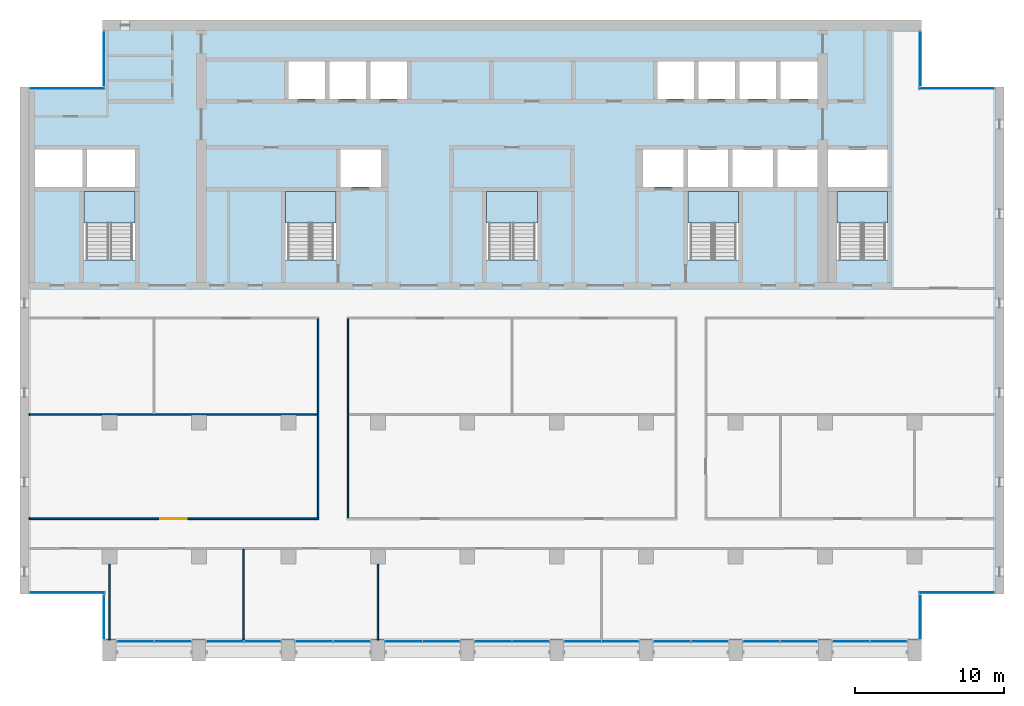
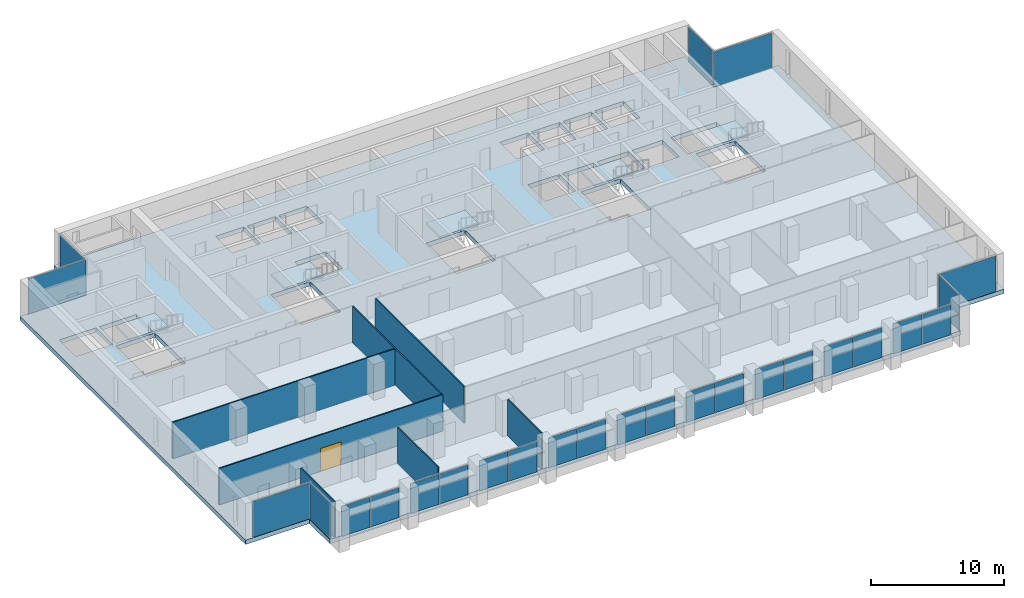
# One storey, part 7 of 17: 26 plates, 7 walls, 6 slabs, 1 door, 1 opening, 22 elements without a shape of their own.
"""IFC4 building model written with IfcOpenShell, lengths in metres."""

from ifc_helpers import new_model, si_unit, direction, frame, frame_2d, origin, origin_2d, place, context, subcontext, project, spatial, polyline, rectangle, outline, extrude, material, layer, layer_set, type_object, element, fill, aggregate, save


model = new_model("IFC4")

# Units and contexts
model_context = context("Model", 3, precision=1e-05, world=origin(), true_north=direction((0.0, 1.0)))
body_context = subcontext(model_context, "Body", "Model", "MODEL_VIEW")
ifc_project = project(units=[si_unit("LENGTHUNIT", "METRE"), si_unit("AREAUNIT", "SQUARE_METRE"), si_unit("VOLUMEUNIT", "CUBIC_METRE"), si_unit("PLANEANGLEUNIT", "RADIAN"), si_unit("MASSUNIT", "GRAM", prefix="KILO")], contexts=[model_context])

# Site, building, storey
site_placement = place(None, origin())
site = spatial("IfcSite", under=ifc_project, at=site_placement, CompositionType="ELEMENT")
building_placement = place(site_placement, origin())
building = spatial("IfcBuilding", under=site, at=building_placement, Name="Calvaro Tower", CompositionType="ELEMENT")
storey_placement = place(building_placement, frame((0.0, 0.0, 215.5)))
storey = spatial("IfcBuildingStorey", under=building, at=storey_placement, Name="L54", CompositionType="ELEMENT", Elevation=215.5)

# Slab
ifc_material_1 = material(Name="Concrete C40/50", Category="concrete")
ifc_layer_1 = layer(ifc_material_1, 0.39990234375)
ifc_layer_set_1 = layer_set([ifc_layer_1], Name="Concrete C40/50")
slab_type_1 = type_object("IfcSlabType", Name="Floor slab 400 C40/50", PredefinedType="FLOOR", material=ifc_layer_set_1)
slab_1_placement = place(storey_placement, frame((0.0, 0.0, -0.39990234375)))
element("IfcSlab", 1, at=slab_1_placement, inside=storey, type_object=slab_type_1, Name="Floor slab", PredefinedType="FLOOR", context=body_context, shape_type="SweptSolid", body=[
    extrude(outline(polyline([(66.449951171875, 7.5), (66.449951171875, 4.39990234375), (11.550048828125, 4.39990234375), (11.550048828125, 7.5), (6.0, 7.5), (6.0, 41.5), (11.550048828125, 41.5), (11.550048828125, 46.0), (66.449951171875, 46.0), (66.449951171875, 41.5), (72.0, 41.5), (72.0, 7.5), (66.449951171875, 7.5)]), holes=[polyline([(10.300048828125, 29.909912109375), (10.300048828125, 34.5), (12.0, 34.5), (13.699951171875, 34.5), (13.699951171875, 29.909912109375), (12.0, 29.909912109375), (10.300048828125, 29.909912109375)]), polyline([(23.800048828125, 29.909912109375), (23.800048828125, 34.5), (25.5, 34.5), (27.199951171875, 34.5), (27.199951171875, 29.909912109375), (25.5, 29.909912109375), (23.800048828125, 29.909912109375)]), polyline([(37.300048828125, 29.909912109375), (37.300048828125, 34.5), (39.0, 34.5), (40.699951171875, 34.5), (40.699951171875, 29.909912109375), (39.0, 29.909912109375), (37.300048828125, 29.909912109375)]), polyline([(50.800048828125, 29.909912109375), (50.800048828125, 34.5), (52.5, 34.5), (54.199951171875, 34.5), (54.199951171875, 29.909912109375), (52.5, 29.909912109375), (50.800048828125, 29.909912109375)]), polyline([(60.800048828125, 29.909912109375), (60.800048828125, 34.5), (62.5, 34.5), (64.199951171875, 34.5), (64.199951171875, 29.909912109375), (62.5, 29.909912109375), (60.800048828125, 29.909912109375)]), polyline([(50.800048828125, 34.800048828125), (53.5, 34.800048828125), (53.5, 37.300048828125), (50.800048828125, 37.300048828125), (50.800048828125, 34.800048828125)]), polyline([(53.800048828125, 34.800048828125), (56.5, 34.800048828125), (56.5, 37.300048828125), (53.800048828125, 37.300048828125), (53.800048828125, 34.800048828125)]), polyline([(56.800048828125, 34.800048828125), (59.5, 34.800048828125), (59.5, 37.300048828125), (56.800048828125, 37.300048828125), (56.800048828125, 34.800048828125)]), polyline([(24.0, 40.699951171875), (26.449951171875, 40.699951171875), (26.449951171875, 43.199951171875), (24.0, 43.199951171875), (24.0, 40.699951171875)]), polyline([(26.75, 40.699951171875), (29.199951171875, 40.699951171875), (29.199951171875, 43.199951171875), (26.75, 43.199951171875), (26.75, 40.699951171875)]), polyline([(29.5, 40.699951171875), (31.949951171875, 40.699951171875), (31.949951171875, 43.199951171875), (29.5, 43.199951171875), (29.5, 40.699951171875)]), polyline([(48.75, 40.699951171875), (51.199951171875, 40.699951171875), (51.199951171875, 43.199951171875), (48.75, 43.199951171875), (48.75, 40.699951171875)]), polyline([(51.5, 40.699951171875), (53.949951171875, 40.699951171875), (53.949951171875, 43.199951171875), (51.5, 43.199951171875), (51.5, 40.699951171875)]), polyline([(54.25, 40.699951171875), (56.699951171875, 40.699951171875), (56.699951171875, 43.199951171875), (54.25, 43.199951171875), (54.25, 40.699951171875)]), polyline([(57.0, 40.699951171875), (59.5, 40.699951171875), (59.5, 43.199951171875), (57.0, 43.199951171875), (57.0, 40.699951171875)]), polyline([(7.0, 34.800048828125), (10.199951171875, 34.800048828125), (10.199951171875, 37.300048828125), (7.0, 37.300048828125), (7.0, 34.800048828125)]), polyline([(10.5, 34.800048828125), (13.699951171875, 34.800048828125), (13.699951171875, 37.300048828125), (10.5, 37.300048828125), (10.5, 34.800048828125)]), polyline([(60.199951171875, 34.800048828125), (64.199951171875, 34.800048828125), (64.199951171875, 37.300048828125), (60.199951171875, 37.300048828125), (60.199951171875, 34.800048828125)]), polyline([(27.5, 34.800048828125), (30.199951171875, 34.800048828125), (30.199951171875, 37.300048828125), (27.5, 37.300048828125), (27.5, 34.800048828125)]), polyline([(47.800048828125, 34.800048828125), (50.5, 34.800048828125), (50.5, 37.300048828125), (47.800048828125, 37.300048828125), (47.800048828125, 34.800048828125)])]), origin(), (0.0, 0.0, 1.0), 0.39990234375),
])

# Curtain wall, plates
ifc_material_2 = material(Name="Anodised aluminium", Category="aluminium")
curtain_wall_type = type_object("IfcCurtainWallType", Name="Office curtain wall, upper zone", PredefinedType="NOTDEFINED", material=ifc_material_2)
curtain_wall_1_placement = place(storey_placement, origin())
curtain_wall_1 = element("IfcCurtainWall", 2, at=curtain_wall_1_placement, inside=storey, type_object=curtain_wall_type, Name="CW3 south curtain wall", PredefinedType="NOTDEFINED")
ifc_material_3 = material(Name="Glass", Category="glass")
ifc_layer_2 = layer(ifc_material_3, 0.035888671875)
ifc_layer_set_2 = layer_set([ifc_layer_2], Name="Glass")
plate_type = type_object("IfcPlateType", Name="Glass panel S3 36", PredefinedType="CURTAIN_PANEL", material=ifc_layer_set_2)
plate_1_placement = place(storey_placement, frame((13.739990234375, 4.31005859375, 0.0), z_axis=(0.0, 0.0, 1.0), x_axis=(1.0, 0.0, 0.0)))
plate_1 = element("IfcPlate", 3, at=plate_1_placement, type_object=plate_type, Name="CW3 glass panel 1.1", PredefinedType="CURTAIN_PANEL", context=body_context, shape_type="SweptSolid", body=[
    extrude(rectangle(XDim=2.4599609375, YDim=0.035888671875, at=origin_2d()), origin(), (0.0, 0.0, 1.0), 2.75),
])
plate_2_placement = place(storey_placement, frame((16.260009765625, 4.31005859375, 0.0), z_axis=(0.0, 0.0, 1.0), x_axis=(1.0, 0.0, 0.0)))
plate_2 = element("IfcPlate", 4, at=plate_2_placement, type_object=plate_type, Name="CW3 glass panel 2.1", PredefinedType="CURTAIN_PANEL", context=body_context, shape_type="SweptSolid", body=[
    extrude(rectangle(XDim=2.4599609375, YDim=0.035888671875, at=origin_2d()), origin(), (0.0, 0.0, 1.0), 2.75),
])
aggregate(curtain_wall_1, [plate_1, plate_2])

curtain_wall_2_placement = place(storey_placement, origin())
curtain_wall_2 = element("IfcCurtainWall", 5, at=curtain_wall_2_placement, inside=storey, type_object=curtain_wall_type, Name="CW3 south curtain wall", PredefinedType="NOTDEFINED")
plate_3_placement = place(storey_placement, frame((19.739990234375, 4.31005859375, 0.0), z_axis=(0.0, 0.0, 1.0), x_axis=(1.0, 0.0, 0.0)))
plate_3 = element("IfcPlate", 6, at=plate_3_placement, type_object=plate_type, Name="CW3 glass panel 1.1", PredefinedType="CURTAIN_PANEL", context=body_context, shape_type="SweptSolid", body=[
    extrude(rectangle(XDim=2.4599609375, YDim=0.035888671875, at=origin_2d()), origin(), (0.0, 0.0, 1.0), 2.75),
])
plate_4_placement = place(storey_placement, frame((22.260009765625, 4.31005859375, 0.0), z_axis=(0.0, 0.0, 1.0), x_axis=(1.0, 0.0, 0.0)))
plate_4 = element("IfcPlate", 7, at=plate_4_placement, type_object=plate_type, Name="CW3 glass panel 2.1", PredefinedType="CURTAIN_PANEL", context=body_context, shape_type="SweptSolid", body=[
    extrude(rectangle(XDim=2.4599609375, YDim=0.035888671875, at=origin_2d()), origin(), (0.0, 0.0, 1.0), 2.75),
])
aggregate(curtain_wall_2, [plate_3, plate_4])

curtain_wall_3_placement = place(storey_placement, origin())
curtain_wall_3 = element("IfcCurtainWall", 8, at=curtain_wall_3_placement, inside=storey, type_object=curtain_wall_type, Name="CW3 south curtain wall", PredefinedType="NOTDEFINED")
plate_5_placement = place(storey_placement, frame((25.739990234375, 4.31005859375, 0.0), z_axis=(0.0, 0.0, 1.0), x_axis=(1.0, 0.0, 0.0)))
plate_5 = element("IfcPlate", 9, at=plate_5_placement, type_object=plate_type, Name="CW3 glass panel 1.1", PredefinedType="CURTAIN_PANEL", context=body_context, shape_type="SweptSolid", body=[
    extrude(rectangle(XDim=2.4599609375, YDim=0.035888671875, at=origin_2d()), origin(), (0.0, 0.0, 1.0), 2.75),
])
plate_6_placement = place(storey_placement, frame((28.260009765625, 4.31005859375, 0.0), z_axis=(0.0, 0.0, 1.0), x_axis=(1.0, 0.0, 0.0)))
plate_6 = element("IfcPlate", 10, at=plate_6_placement, type_object=plate_type, Name="CW3 glass panel 2.1", PredefinedType="CURTAIN_PANEL", context=body_context, shape_type="SweptSolid", body=[
    extrude(rectangle(XDim=2.4599609375, YDim=0.035888671875, at=origin_2d()), origin(), (0.0, 0.0, 1.0), 2.75),
])
aggregate(curtain_wall_3, [plate_5, plate_6])

curtain_wall_4_placement = place(storey_placement, origin())
curtain_wall_4 = element("IfcCurtainWall", 11, at=curtain_wall_4_placement, inside=storey, type_object=curtain_wall_type, Name="CW3 south curtain wall", PredefinedType="NOTDEFINED")
plate_7_placement = place(storey_placement, frame((31.739990234375, 4.31005859375, 0.0), z_axis=(0.0, 0.0, 1.0), x_axis=(1.0, 0.0, 0.0)))
plate_7 = element("IfcPlate", 12, at=plate_7_placement, type_object=plate_type, Name="CW3 glass panel 1.1", PredefinedType="CURTAIN_PANEL", context=body_context, shape_type="SweptSolid", body=[
    extrude(rectangle(XDim=2.4599609375, YDim=0.035888671875, at=origin_2d()), origin(), (0.0, 0.0, 1.0), 2.75),
])
plate_8_placement = place(storey_placement, frame((34.260009765625, 4.31005859375, 0.0), z_axis=(0.0, 0.0, 1.0), x_axis=(1.0, 0.0, 0.0)))
plate_8 = element("IfcPlate", 13, at=plate_8_placement, type_object=plate_type, Name="CW3 glass panel 2.1", PredefinedType="CURTAIN_PANEL", context=body_context, shape_type="SweptSolid", body=[
    extrude(rectangle(XDim=2.4599609375, YDim=0.035888671875, at=origin_2d()), origin(), (0.0, 0.0, 1.0), 2.75),
])
aggregate(curtain_wall_4, [plate_7, plate_8])

curtain_wall_5_placement = place(storey_placement, origin())
curtain_wall_5 = element("IfcCurtainWall", 14, at=curtain_wall_5_placement, inside=storey, type_object=curtain_wall_type, Name="CW3 south curtain wall", PredefinedType="NOTDEFINED")
plate_9_placement = place(storey_placement, frame((37.739990234375, 4.31005859375, 0.0), z_axis=(0.0, 0.0, 1.0), x_axis=(1.0, 0.0, 0.0)))
plate_9 = element("IfcPlate", 15, at=plate_9_placement, type_object=plate_type, Name="CW3 glass panel 1.1", PredefinedType="CURTAIN_PANEL", context=body_context, shape_type="SweptSolid", body=[
    extrude(rectangle(XDim=2.4599609375, YDim=0.035888671875, at=origin_2d()), origin(), (0.0, 0.0, 1.0), 2.75),
])
plate_10_placement = place(storey_placement, frame((40.260009765625, 4.31005859375, 0.0), z_axis=(0.0, 0.0, 1.0), x_axis=(1.0, 0.0, 0.0)))
plate_10 = element("IfcPlate", 16, at=plate_10_placement, type_object=plate_type, Name="CW3 glass panel 2.1", PredefinedType="CURTAIN_PANEL", context=body_context, shape_type="SweptSolid", body=[
    extrude(rectangle(XDim=2.4599609375, YDim=0.035888671875, at=origin_2d()), origin(), (0.0, 0.0, 1.0), 2.75),
])
aggregate(curtain_wall_5, [plate_9, plate_10])

curtain_wall_6_placement = place(storey_placement, origin())
curtain_wall_6 = element("IfcCurtainWall", 17, at=curtain_wall_6_placement, inside=storey, type_object=curtain_wall_type, Name="CW3 south curtain wall", PredefinedType="NOTDEFINED")
plate_11_placement = place(storey_placement, frame((43.739990234375, 4.31005859375, 0.0), z_axis=(0.0, 0.0, 1.0), x_axis=(1.0, 0.0, 0.0)))
plate_11 = element("IfcPlate", 18, at=plate_11_placement, type_object=plate_type, Name="CW3 glass panel 1.1", PredefinedType="CURTAIN_PANEL", context=body_context, shape_type="SweptSolid", body=[
    extrude(rectangle(XDim=2.4599609375, YDim=0.035888671875, at=origin_2d()), origin(), (0.0, 0.0, 1.0), 2.75),
])
plate_12_placement = place(storey_placement, frame((46.260009765625, 4.31005859375, 0.0), z_axis=(0.0, 0.0, 1.0), x_axis=(1.0, 0.0, 0.0)))
plate_12 = element("IfcPlate", 19, at=plate_12_placement, type_object=plate_type, Name="CW3 glass panel 2.1", PredefinedType="CURTAIN_PANEL", context=body_context, shape_type="SweptSolid", body=[
    extrude(rectangle(XDim=2.4599609375, YDim=0.035888671875, at=origin_2d()), origin(), (0.0, 0.0, 1.0), 2.75),
])
aggregate(curtain_wall_6, [plate_11, plate_12])

curtain_wall_7_placement = place(storey_placement, origin())
curtain_wall_7 = element("IfcCurtainWall", 20, at=curtain_wall_7_placement, inside=storey, type_object=curtain_wall_type, Name="CW3 south curtain wall", PredefinedType="NOTDEFINED")
plate_13_placement = place(storey_placement, frame((49.739990234375, 4.31005859375, 0.0), z_axis=(0.0, 0.0, 1.0), x_axis=(1.0, 0.0, 0.0)))
plate_13 = element("IfcPlate", 21, at=plate_13_placement, type_object=plate_type, Name="CW3 glass panel 1.1", PredefinedType="CURTAIN_PANEL", context=body_context, shape_type="SweptSolid", body=[
    extrude(rectangle(XDim=2.4599609375, YDim=0.035888671875, at=origin_2d()), origin(), (0.0, 0.0, 1.0), 2.75),
])
plate_14_placement = place(storey_placement, frame((52.260009765625, 4.31005859375, 0.0), z_axis=(0.0, 0.0, 1.0), x_axis=(1.0, 0.0, 0.0)))
plate_14 = element("IfcPlate", 22, at=plate_14_placement, type_object=plate_type, Name="CW3 glass panel 2.1", PredefinedType="CURTAIN_PANEL", context=body_context, shape_type="SweptSolid", body=[
    extrude(rectangle(XDim=2.4599609375, YDim=0.035888671875, at=origin_2d()), origin(), (0.0, 0.0, 1.0), 2.75),
])
aggregate(curtain_wall_7, [plate_13, plate_14])

curtain_wall_8_placement = place(storey_placement, origin())
curtain_wall_8 = element("IfcCurtainWall", 23, at=curtain_wall_8_placement, inside=storey, type_object=curtain_wall_type, Name="CW3 south curtain wall", PredefinedType="NOTDEFINED")
plate_15_placement = place(storey_placement, frame((55.739990234375, 4.31005859375, 0.0), z_axis=(0.0, 0.0, 1.0), x_axis=(1.0, 0.0, 0.0)))
plate_15 = element("IfcPlate", 24, at=plate_15_placement, type_object=plate_type, Name="CW3 glass panel 1.1", PredefinedType="CURTAIN_PANEL", context=body_context, shape_type="SweptSolid", body=[
    extrude(rectangle(XDim=2.4599609375, YDim=0.035888671875, at=origin_2d()), origin(), (0.0, 0.0, 1.0), 2.75),
])
plate_16_placement = place(storey_placement, frame((58.260009765625, 4.31005859375, 0.0), z_axis=(0.0, 0.0, 1.0), x_axis=(1.0, 0.0, 0.0)))
plate_16 = element("IfcPlate", 25, at=plate_16_placement, type_object=plate_type, Name="CW3 glass panel 2.1", PredefinedType="CURTAIN_PANEL", context=body_context, shape_type="SweptSolid", body=[
    extrude(rectangle(XDim=2.4599609375, YDim=0.035888671875, at=origin_2d()), origin(), (0.0, 0.0, 1.0), 2.75),
])
aggregate(curtain_wall_8, [plate_15, plate_16])

curtain_wall_9_placement = place(storey_placement, origin())
curtain_wall_9 = element("IfcCurtainWall", 26, at=curtain_wall_9_placement, inside=storey, type_object=curtain_wall_type, Name="CW3 south curtain wall", PredefinedType="NOTDEFINED")
plate_17_placement = place(storey_placement, frame((61.739990234375, 4.31005859375, 0.0), z_axis=(0.0, 0.0, 1.0), x_axis=(1.0, 0.0, 0.0)))
plate_17 = element("IfcPlate", 27, at=plate_17_placement, type_object=plate_type, Name="CW3 glass panel 1.1", PredefinedType="CURTAIN_PANEL", context=body_context, shape_type="SweptSolid", body=[
    extrude(rectangle(XDim=2.4599609375, YDim=0.035888671875, at=origin_2d()), origin(), (0.0, 0.0, 1.0), 2.75),
])
plate_18_placement = place(storey_placement, frame((64.260009765625, 4.31005859375, 0.0), z_axis=(0.0, 0.0, 1.0), x_axis=(1.0, 0.0, 0.0)))
plate_18 = element("IfcPlate", 28, at=plate_18_placement, type_object=plate_type, Name="CW3 glass panel 2.1", PredefinedType="CURTAIN_PANEL", context=body_context, shape_type="SweptSolid", body=[
    extrude(rectangle(XDim=2.4599609375, YDim=0.035888671875, at=origin_2d()), origin(), (0.0, 0.0, 1.0), 2.75),
])
aggregate(curtain_wall_9, [plate_17, plate_18])

# Curtain wall, plate
curtain_wall_10_placement = place(storey_placement, origin())
curtain_wall_10 = element("IfcCurtainWall", 29, at=curtain_wall_10_placement, inside=storey, type_object=curtain_wall_type, Name="CW3 corner curtain wall", PredefinedType="NOTDEFINED")
plate_19_placement = place(storey_placement, frame((11.639892578125, 5.949951171875, 0.0), z_axis=(0.0, 0.0, 1.0), x_axis=(0.0, 1.0, 0.0)))
plate_19 = element("IfcPlate", 30, at=plate_19_placement, type_object=plate_type, Name="CW3 glass panel 1.1", PredefinedType="CURTAIN_PANEL", context=body_context, shape_type="SweptSolid", body=[
    extrude(rectangle(XDim=2.97998046875, YDim=0.035888671875, at=origin_2d()), origin(), (0.0, 0.0, 1.0), 3.25),
])
aggregate(curtain_wall_10, [plate_19])

curtain_wall_11_placement = place(storey_placement, origin())
curtain_wall_11 = element("IfcCurtainWall", 31, at=curtain_wall_11_placement, inside=storey, type_object=curtain_wall_type, Name="CW3 corner curtain wall", PredefinedType="NOTDEFINED")
plate_20_placement = place(storey_placement, frame((9.1650390625, 7.590087890625, 0.0), z_axis=(0.0, 0.0, 1.0), x_axis=(1.0, 0.0, 0.0)))
plate_20 = element("IfcPlate", 32, at=plate_20_placement, type_object=plate_type, Name="CW3 glass panel 1.1", PredefinedType="CURTAIN_PANEL", context=body_context, shape_type="SweptSolid", body=[
    extrude(rectangle(XDim=5.010009765625, YDim=0.035888671875, at=origin_2d()), origin(), (0.0, 0.0, 1.0), 3.25),
])
aggregate(curtain_wall_11, [plate_20])

curtain_wall_12_placement = place(storey_placement, origin())
curtain_wall_12 = element("IfcCurtainWall", 33, at=curtain_wall_12_placement, inside=storey, type_object=curtain_wall_type, Name="CW3 corner curtain wall", PredefinedType="NOTDEFINED")
plate_21_placement = place(storey_placement, frame((11.639892578125, 43.39990234375, 0.0), z_axis=(0.0, 0.0, 1.0), x_axis=(0.0, 1.0, 0.0)))
plate_21 = element("IfcPlate", 34, at=plate_21_placement, type_object=plate_type, Name="CW3 glass panel 1.1", PredefinedType="CURTAIN_PANEL", context=body_context, shape_type="SweptSolid", body=[
    extrude(rectangle(XDim=3.679931640625, YDim=0.035888671875, at=origin_2d()), origin(), (0.0, 0.0, 1.0), 3.25),
])
aggregate(curtain_wall_12, [plate_21])

curtain_wall_13_placement = place(storey_placement, origin())
curtain_wall_13 = element("IfcCurtainWall", 35, at=curtain_wall_13_placement, inside=storey, type_object=curtain_wall_type, Name="CW3 corner curtain wall", PredefinedType="NOTDEFINED")
plate_22_placement = place(storey_placement, frame((9.1650390625, 41.409912109375, 0.0), z_axis=(0.0, 0.0, 1.0), x_axis=(1.0, 0.0, 0.0)))
plate_22 = element("IfcPlate", 36, at=plate_22_placement, type_object=plate_type, Name="CW3 glass panel 1.1", PredefinedType="CURTAIN_PANEL", context=body_context, shape_type="SweptSolid", body=[
    extrude(rectangle(XDim=5.010009765625, YDim=0.035888671875, at=origin_2d()), origin(), (0.0, 0.0, 1.0), 3.25),
])
aggregate(curtain_wall_13, [plate_22])

curtain_wall_14_placement = place(storey_placement, origin())
curtain_wall_14 = element("IfcCurtainWall", 37, at=curtain_wall_14_placement, inside=storey, type_object=curtain_wall_type, Name="CW3 corner curtain wall", PredefinedType="NOTDEFINED")
plate_23_placement = place(storey_placement, frame((66.360107421875, 5.949951171875, 0.0), z_axis=(0.0, 0.0, 1.0), x_axis=(0.0, 1.0, 0.0)))
plate_23 = element("IfcPlate", 38, at=plate_23_placement, type_object=plate_type, Name="CW3 glass panel 1.1", PredefinedType="CURTAIN_PANEL", context=body_context, shape_type="SweptSolid", body=[
    extrude(rectangle(XDim=2.97998046875, YDim=0.035888671875, at=origin_2d()), origin(), (0.0, 0.0, 1.0), 3.25),
])
aggregate(curtain_wall_14, [plate_23])

curtain_wall_15_placement = place(storey_placement, origin())
curtain_wall_15 = element("IfcCurtainWall", 39, at=curtain_wall_15_placement, inside=storey, type_object=curtain_wall_type, Name="CW3 corner curtain wall", PredefinedType="NOTDEFINED")
plate_24_placement = place(storey_placement, frame((68.8349609375, 7.590087890625, 0.0), z_axis=(0.0, 0.0, 1.0), x_axis=(1.0, 0.0, 0.0)))
plate_24 = element("IfcPlate", 40, at=plate_24_placement, type_object=plate_type, Name="CW3 glass panel 1.1", PredefinedType="CURTAIN_PANEL", context=body_context, shape_type="SweptSolid", body=[
    extrude(rectangle(XDim=5.010009765625, YDim=0.035888671875, at=origin_2d()), origin(), (0.0, 0.0, 1.0), 3.25),
])
aggregate(curtain_wall_15, [plate_24])

curtain_wall_16_placement = place(storey_placement, origin())
curtain_wall_16 = element("IfcCurtainWall", 41, at=curtain_wall_16_placement, inside=storey, type_object=curtain_wall_type, Name="CW3 corner curtain wall", PredefinedType="NOTDEFINED")
plate_25_placement = place(storey_placement, frame((66.360107421875, 43.39990234375, 0.0), z_axis=(0.0, 0.0, 1.0), x_axis=(0.0, 1.0, 0.0)))
plate_25 = element("IfcPlate", 42, at=plate_25_placement, type_object=plate_type, Name="CW3 glass panel 1.1", PredefinedType="CURTAIN_PANEL", context=body_context, shape_type="SweptSolid", body=[
    extrude(rectangle(XDim=3.679931640625, YDim=0.035888671875, at=origin_2d()), origin(), (0.0, 0.0, 1.0), 3.25),
])
aggregate(curtain_wall_16, [plate_25])

curtain_wall_17_placement = place(storey_placement, origin())
curtain_wall_17 = element("IfcCurtainWall", 43, at=curtain_wall_17_placement, inside=storey, type_object=curtain_wall_type, Name="CW3 corner curtain wall", PredefinedType="NOTDEFINED")
plate_26_placement = place(storey_placement, frame((68.8349609375, 41.409912109375, 0.0), z_axis=(0.0, 0.0, 1.0), x_axis=(1.0, 0.0, 0.0)))
plate_26 = element("IfcPlate", 44, at=plate_26_placement, type_object=plate_type, Name="CW3 glass panel 1.1", PredefinedType="CURTAIN_PANEL", context=body_context, shape_type="SweptSolid", body=[
    extrude(rectangle(XDim=5.010009765625, YDim=0.035888671875, at=origin_2d()), origin(), (0.0, 0.0, 1.0), 3.25),
])
aggregate(curtain_wall_17, [plate_26])

# Stair, slab
ifc_material_4 = material(Name="Concrete C40/50", Category="concrete")
stair_type = type_object("IfcStairType", Name="Exit stair 1400 2 flights", PredefinedType="HALF_TURN_STAIR", material=ifc_material_4)
stair_1_placement = place(storey_placement, origin())
stair_1 = element("IfcStair", 45, at=stair_1_placement, inside=storey, type_object=stair_type, Name="Exit stair S1", PredefinedType="HALF_TURN_STAIR")
ifc_material_5 = material(Name="Concrete C40/50", Category="concrete")
ifc_layer_3 = layer(ifc_material_5, 0.199951171875)
ifc_layer_set_3 = layer_set([ifc_layer_3], Name="Concrete C40/50")
slab_type_2 = type_object("IfcSlabType", Name="Stair landing", PredefinedType="LANDING", material=ifc_layer_set_3)
slab_2_placement = place(storey_placement, frame((0.0, 0.0, 1.675048828125)))
slab_2 = element("IfcSlab", 46, at=slab_2_placement, type_object=slab_type_2, Name="Exit stair 1, landing 1", PredefinedType="LANDING", context=body_context, shape_type="SweptSolid", body=[
    extrude(outline(polyline([(11.89990234375, 32.389892578125), (10.5, 32.389892578125), (10.5, 32.39990234375), (10.300048828125, 32.39990234375), (10.300048828125, 34.5), (10.5, 34.5), (11.89990234375, 34.5), (12.10009765625, 34.5), (13.5, 34.5), (13.699951171875, 34.5), (13.699951171875, 32.39990234375), (13.5, 32.39990234375), (13.5, 32.389892578125), (12.10009765625, 32.389892578125), (12.10009765625, 32.39990234375), (11.89990234375, 32.39990234375), (11.89990234375, 32.389892578125)])), origin(), (0.0, 0.0, 1.0), 0.199951171875),
])
aggregate(stair_1, [slab_2])

stair_2_placement = place(storey_placement, origin())
stair_2 = element("IfcStair", 47, at=stair_2_placement, inside=storey, type_object=stair_type, Name="Exit stair S2", PredefinedType="HALF_TURN_STAIR")
slab_3_placement = place(storey_placement, frame((0.0, 0.0, 1.675048828125)))
slab_3 = element("IfcSlab", 48, at=slab_3_placement, type_object=slab_type_2, Name="Exit stair 2, landing 1", PredefinedType="LANDING", context=body_context, shape_type="SweptSolid", body=[
    extrude(outline(polyline([(25.39990234375, 32.389892578125), (24.0, 32.389892578125), (24.0, 32.39990234375), (23.800048828125, 32.39990234375), (23.800048828125, 34.5), (24.0, 34.5), (25.39990234375, 34.5), (25.60009765625, 34.5), (27.0, 34.5), (27.199951171875, 34.5), (27.199951171875, 32.39990234375), (27.0, 32.39990234375), (27.0, 32.389892578125), (25.60009765625, 32.389892578125), (25.60009765625, 32.39990234375), (25.39990234375, 32.39990234375), (25.39990234375, 32.389892578125)])), origin(), (0.0, 0.0, 1.0), 0.199951171875),
])
aggregate(stair_2, [slab_3])

stair_3_placement = place(storey_placement, origin())
stair_3 = element("IfcStair", 49, at=stair_3_placement, inside=storey, type_object=stair_type, Name="Exit stair S3", PredefinedType="HALF_TURN_STAIR")
slab_4_placement = place(storey_placement, frame((0.0, 0.0, 1.675048828125)))
slab_4 = element("IfcSlab", 50, at=slab_4_placement, type_object=slab_type_2, Name="Exit stair 3, landing 1", PredefinedType="LANDING", context=body_context, shape_type="SweptSolid", body=[
    extrude(outline(polyline([(38.89990234375, 32.389892578125), (37.5, 32.389892578125), (37.5, 32.39990234375), (37.300048828125, 32.39990234375), (37.300048828125, 34.5), (37.5, 34.5), (38.89990234375, 34.5), (39.10009765625, 34.5), (40.5, 34.5), (40.699951171875, 34.5), (40.699951171875, 32.39990234375), (40.5, 32.39990234375), (40.5, 32.389892578125), (39.10009765625, 32.389892578125), (39.10009765625, 32.39990234375), (38.89990234375, 32.39990234375), (38.89990234375, 32.389892578125)])), origin(), (0.0, 0.0, 1.0), 0.199951171875),
])
aggregate(stair_3, [slab_4])

stair_4_placement = place(storey_placement, origin())
stair_4 = element("IfcStair", 51, at=stair_4_placement, inside=storey, type_object=stair_type, Name="Exit stair S4", PredefinedType="HALF_TURN_STAIR")
slab_5_placement = place(storey_placement, frame((0.0, 0.0, 1.675048828125)))
slab_5 = element("IfcSlab", 52, at=slab_5_placement, type_object=slab_type_2, Name="Exit stair 4, landing 1", PredefinedType="LANDING", context=body_context, shape_type="SweptSolid", body=[
    extrude(outline(polyline([(52.39990234375, 32.389892578125), (51.0, 32.389892578125), (51.0, 32.39990234375), (50.800048828125, 32.39990234375), (50.800048828125, 34.5), (51.0, 34.5), (52.39990234375, 34.5), (52.60009765625, 34.5), (54.0, 34.5), (54.199951171875, 34.5), (54.199951171875, 32.39990234375), (54.0, 32.39990234375), (54.0, 32.389892578125), (52.60009765625, 32.389892578125), (52.60009765625, 32.39990234375), (52.39990234375, 32.39990234375), (52.39990234375, 32.389892578125)])), origin(), (0.0, 0.0, 1.0), 0.199951171875),
])
aggregate(stair_4, [slab_5])

stair_5_placement = place(storey_placement, origin())
stair_5 = element("IfcStair", 53, at=stair_5_placement, inside=storey, type_object=stair_type, Name="Exit stair S5", PredefinedType="HALF_TURN_STAIR")
slab_6_placement = place(storey_placement, frame((0.0, 0.0, 1.675048828125)))
slab_6 = element("IfcSlab", 54, at=slab_6_placement, type_object=slab_type_2, Name="Exit stair 5, landing 1", PredefinedType="LANDING", context=body_context, shape_type="SweptSolid", body=[
    extrude(outline(polyline([(62.39990234375, 32.389892578125), (61.0, 32.389892578125), (61.0, 32.39990234375), (60.800048828125, 32.39990234375), (60.800048828125, 34.5), (61.0, 34.5), (62.39990234375, 34.5), (62.60009765625, 34.5), (64.0, 34.5), (64.199951171875, 34.5), (64.199951171875, 32.39990234375), (64.0, 32.39990234375), (64.0, 32.389892578125), (62.60009765625, 32.389892578125), (62.60009765625, 32.39990234375), (62.39990234375, 32.39990234375), (62.39990234375, 32.389892578125)])), origin(), (0.0, 0.0, 1.0), 0.199951171875),
])
aggregate(stair_5, [slab_6])

# Wall, opening, door
ifc_material_6 = material(Name="Plasterboard on steel studs", Category="steel")
ifc_layer_4 = layer(ifc_material_6, 0.10009765625)
ifc_layer_set_4 = layer_set([ifc_layer_4], Name="Plasterboard on steel studs")
wall_type = type_object("IfcWallType", Name="Partition 100", PredefinedType="PARTITIONING", material=ifc_layer_set_4)
wall_1_placement = place(storey_placement, frame((6.60009765625, 12.550048828125, 0.0), z_axis=(0.0, 0.0, 1.0), x_axis=(1.0, 0.0, 0.0)))
wall_1 = element("IfcWall", 55, at=wall_1_placement, inside=storey, type_object=wall_type, Name="Partition T31.W002", PredefinedType="PARTITIONING", context=body_context, shape_type="SweptSolid", body=[
    extrude(rectangle(XDim=19.449951171875, YDim=0.10009765625, at=frame_2d((9.72509765625, 0.0))), origin(), (0.0, 0.0, 1.0), 3.35009765625),
])
opening_placement = place(wall_1_placement, frame((8.800048828125, 0.0, 0.0)))
opening = element("IfcOpeningElement", 56, at=opening_placement, cuts=wall_1, Name="Opening T31.006", PredefinedType="OPENING", context=body_context, shape_type="SweptSolid", body=[
    extrude(rectangle(XDim=1.800048828125, YDim=2.10009765625, at=frame_2d((0.89990234375, 1.050048828125))), frame((0.0, 0.06005859375, 0.0), z_axis=(0.0, -1.0, 0.0), x_axis=(1.0, 0.0, 0.0)), (0.0, 0.0, 1.0), 0.1201171875),
])
ifc_material_7 = material(Name="Timber", Category="wood")
door_type = type_object("IfcDoorType", Name="Internal double door 1800 x 2100", OperationType="DOUBLE_DOOR_SINGLE_SWING", PredefinedType="DOOR", material=ifc_material_7)
door_placement = place(opening_placement, origin())
door = element("IfcDoor", 57, at=door_placement, inside=storey, type_object=door_type, Name="Door T31.006", OperationType="DOUBLE_DOOR_SINGLE_SWING", OverallHeight=2.10009765625, OverallWidth=1.800048828125, PredefinedType="DOOR", context=body_context, shape_type="SweptSolid", body=[
    extrude(rectangle(XDim=1.800048828125, YDim=2.10009765625, at=frame_2d((0.89990234375, 1.050048828125))), frame((0.0, 0.02490234375, 0.0), z_axis=(0.0, -1.0, 0.0), x_axis=(1.0, 0.0, 0.0)), (0.0, 0.0, 1.0), 0.050048828125),
])
fill(opening, door)

# Walls
wall_2_placement = place(storey_placement, frame((6.60009765625, 19.550048828125, 0.0), z_axis=(0.0, 0.0, 1.0), x_axis=(1.0, 0.0, 0.0)))
element("IfcWall", 58, at=wall_2_placement, inside=storey, type_object=wall_type, Name="Partition T31.W005", PredefinedType="PARTITIONING", context=body_context, shape_type="SweptSolid", body=[
    extrude(rectangle(XDim=19.349853515625, YDim=0.10009765625, at=frame_2d((9.6748046875, 0.0))), origin(), (0.0, 0.0, 1.0), 3.35009765625),
])
wall_3_placement = place(storey_placement, frame((12.0, 4.39990234375, 0.0), z_axis=(0.0, 0.0, 1.0), x_axis=(0.0, 1.0, 0.0)))
element("IfcWall", 59, at=wall_3_placement, inside=storey, type_object=wall_type, Name="Partition T31.W012", PredefinedType="PARTITIONING", context=body_context, shape_type="SweptSolid", body=[
    extrude(rectangle(XDim=5.10009765625, YDim=0.10009765625, at=frame_2d((2.550048828125, 0.0))), origin(), (0.0, 0.0, 1.0), 3.35009765625),
])
wall_4_placement = place(storey_placement, frame((21.0, 4.39990234375, 0.0), z_axis=(0.0, 0.0, 1.0), x_axis=(0.0, 1.0, 0.0)))
element("IfcWall", 60, at=wall_4_placement, inside=storey, type_object=wall_type, Name="Partition T31.W014", PredefinedType="PARTITIONING", context=body_context, shape_type="SweptSolid", body=[
    extrude(rectangle(XDim=6.10009765625, YDim=0.10009765625, at=frame_2d((3.050048828125, 0.0))), origin(), (0.0, 0.0, 1.0), 3.35009765625),
])
for number, where, z_axis, x_axis, name in (
    (61, (26.0, 12.60009765625, 0.0), (0.0, 0.0, 1.0), (0.0, 1.0, 0.0), "Partition T31.W015"),
    (62, (28.0, 12.60009765625, 0.0), (0.0, 0.0, 1.0), (0.0, 1.0, 0.0), "Partition T31.W016"),
):
    element("IfcWall", number, at=place(storey_placement, frame(where, z_axis=z_axis, x_axis=x_axis)), inside=storey, type_object=wall_type, Name=name, PredefinedType="PARTITIONING", context=body_context, shape_type="SweptSolid", body=[
        extrude(rectangle(XDim=13.349853515625, YDim=0.10009765625, at=frame_2d((6.6748046875, 0.0))), origin(), (0.0, 0.0, 1.0), 3.35009765625),
    ])
wall_5_placement = place(storey_placement, frame((30.0, 4.39990234375, 0.0), z_axis=(0.0, 0.0, 1.0), x_axis=(0.0, 1.0, 0.0)))
element("IfcWall", 63, at=wall_5_placement, inside=storey, type_object=wall_type, Name="Partition T31.W017", PredefinedType="PARTITIONING", context=body_context, shape_type="SweptSolid", body=[
    extrude(rectangle(XDim=5.10009765625, YDim=0.10009765625, at=frame_2d((2.550048828125, 0.0))), origin(), (0.0, 0.0, 1.0), 3.35009765625),
])

save(model, "model.ifc")
